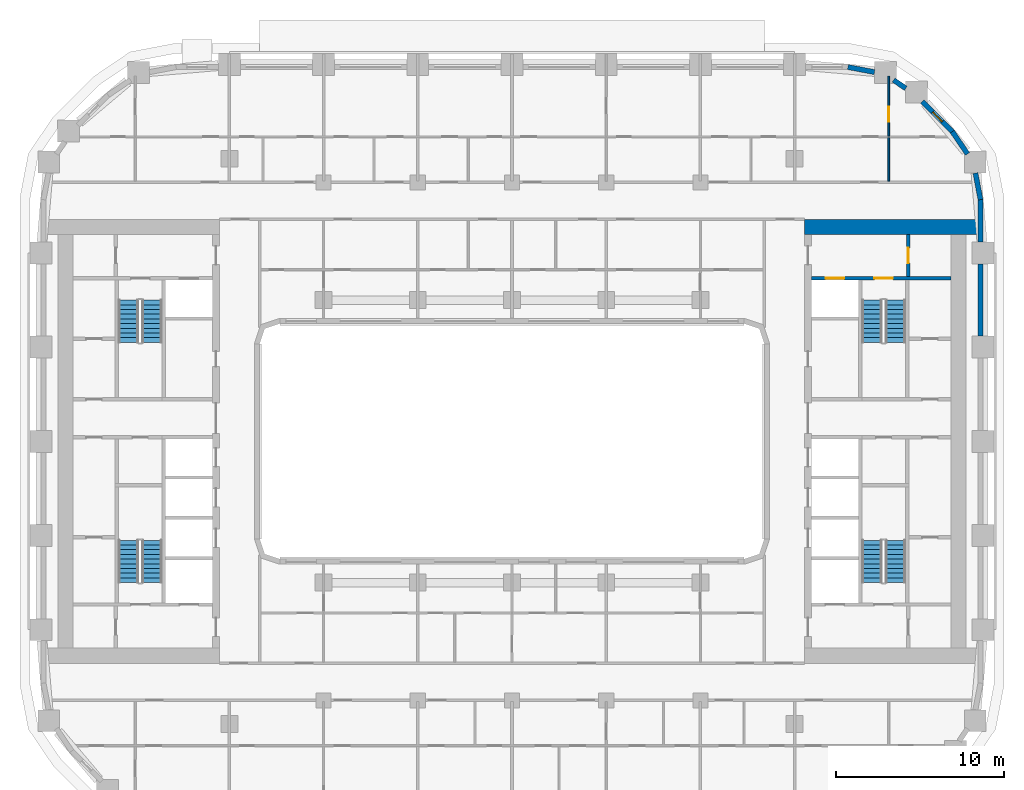
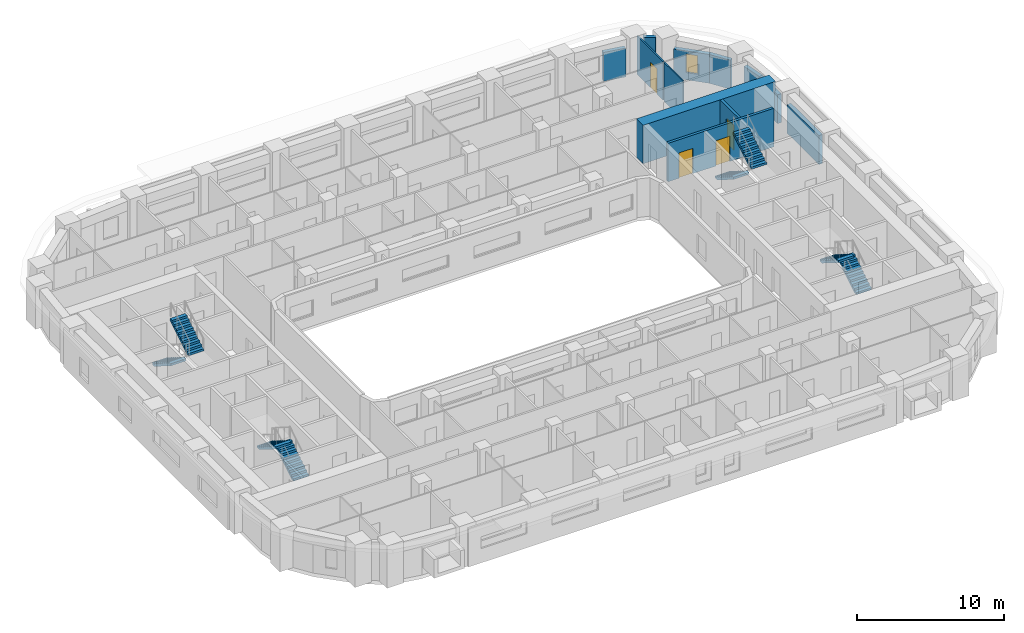
# One storey, part 10 of 22: 12 walls, 8 stair flights, 4 doors, 1 window, 5 openings, 4 elements without a shape of their own.
"""IFC4 building model written with IfcOpenShell, lengths in metres."""

from ifc_helpers import new_model, si_unit, direction, frame, frame_2d, origin, place, context, subcontext, project, spatial, polyline, rectangle, outline, extrude, material, layer, layer_set, type_object, element, fill, aggregate, save


model = new_model("IFC4")

# Units and contexts
model_context = context("Model", 3, precision=1e-05, world=origin(), true_north=direction((0.0, 1.0)))
body_context = subcontext(model_context, "Body", "Model", "MODEL_VIEW")
ifc_project = project(units=[si_unit("LENGTHUNIT", "METRE"), si_unit("AREAUNIT", "SQUARE_METRE"), si_unit("VOLUMEUNIT", "CUBIC_METRE"), si_unit("PLANEANGLEUNIT", "RADIAN"), si_unit("MASSUNIT", "GRAM", prefix="KILO")], contexts=[model_context])

# Site, building, storey
site_placement = place(None, origin())
site = spatial("IfcSite", under=ifc_project, at=site_placement, CompositionType="ELEMENT")
building_placement = place(site_placement, origin())
building = spatial("IfcBuilding", under=site, at=building_placement, Name="Kiln Ring Residences", CompositionType="ELEMENT")
storey_placement = place(building_placement, frame((0.0, 0.0, 97.300048828125)))
storey = spatial("IfcBuildingStorey", under=building, at=storey_placement, Name="L24", CompositionType="ELEMENT", Elevation=97.300048828125)

# Wall, opening, door
ifc_material_1 = material(Name="Gypsum board on steel studs", Category="steel")
ifc_layer_1 = layer(ifc_material_1, 0.199951171875)
ifc_layer_set_1 = layer_set([ifc_layer_1], Name="CORE-PARTITION-200")
wall_type_1 = type_object("IfcWallType", Name="CORE-PARTITION-200", PredefinedType="PARTITIONING", material=ifc_layer_set_1)
wall_1_placement = place(storey_placement, frame((23.550048828125, 9.800048828125, 0.0), z_axis=(0.0, 0.0, 1.0), x_axis=(0.0, 1.0, 0.0)))
wall_1 = element("IfcWall", 1, at=wall_1_placement, inside=storey, type_object=wall_type_1, Name="Core partition east L24 3", PredefinedType="PARTITIONING", context=body_context, shape_type="SweptSolid", body=[
    extrude(rectangle(XDim=2.5, YDim=0.199951171875, at=frame_2d((1.25, 0.0))), origin(), (0.0, 0.0, 1.0), 3.199951171875),
])
opening_1_placement = place(wall_1_placement, frame((0.800048828125, 0.0, 0.0)))
opening_1 = element("IfcOpeningElement", 2, at=opening_1_placement, cuts=wall_1, Name="Opening L24-CE09", PredefinedType="OPENING", context=body_context, shape_type="SweptSolid", body=[
    extrude(rectangle(XDim=0.89990234375, YDim=2.10009765625, at=frame_2d((0.449951171875, 1.050048828125))), frame((0.0, 0.10986328125, 0.0), z_axis=(0.0, -1.0, 0.0), x_axis=(1.0, 0.0, 0.0)), (0.0, 0.0, 1.0), 0.219970703125),
])
ifc_material_2 = material(Name="Steel door leaf", Category="steel")
door_type_1 = type_object("IfcDoorType", Name="CORE-DOOR-ROOM", OperationType="SINGLE_SWING_LEFT", PredefinedType="DOOR", material=ifc_material_2)
door_1_placement = place(opening_1_placement, origin())
door_1 = element("IfcDoor", 3, at=door_1_placement, inside=storey, type_object=door_type_1, Name="Fire riser room L24-CE09", OperationType="SINGLE_SWING_RIGHT", OverallHeight=2.10009765625, OverallWidth=0.89990234375, PredefinedType="DOOR", context=body_context, shape_type="SweptSolid", body=[
    extrude(rectangle(XDim=0.89990234375, YDim=2.10009765625, at=frame_2d((0.449951171875, 1.050048828125))), frame((0.0, 0.02490234375, 0.0), z_axis=(0.0, -1.0, 0.0), x_axis=(1.0, 0.0, 0.0)), (0.0, 0.0, 1.0), 0.050048828125),
])
fill(opening_1, door_1)

# Wall, openings, doors
ifc_material_3 = material(Name="Concrete C40/50", Category="concrete")
ifc_layer_2 = layer(ifc_material_3, 0.199951171875)
ifc_layer_set_2 = layer_set([ifc_layer_2], Name="CORE-WALL-RC200")
wall_type_2 = type_object("IfcWallType", Name="CORE-WALL-RC200", PredefinedType="SHEAR", material=ifc_layer_set_2)
wall_2_placement = place(storey_placement, frame((17.800048828125, 9.699951171875, 0.0), z_axis=(0.0, 0.0, 1.0), x_axis=(1.0, 0.0, 0.0)))
wall_2 = element("IfcWall", 4, at=wall_2_placement, inside=storey, type_object=wall_type_2, Name="Core wall east L24 9", PredefinedType="SHEAR", context=body_context, shape_type="SweptSolid", body=[
    extrude(rectangle(XDim=8.300048828125, YDim=0.199951171875, at=frame_2d((4.14990234375, 0.0))), origin(), (0.0, 0.0, 1.0), 3.199951171875),
])
opening_2_placement = place(wall_2_placement, frame((0.85009765625, 0.0, 0.0)))
opening_2 = element("IfcOpeningElement", 5, at=opening_2_placement, cuts=wall_2, Name="Opening L24-CE06", PredefinedType="OPENING", context=body_context, shape_type="SweptSolid", body=[
    extrude(rectangle(XDim=1.10009765625, YDim=2.10009765625, at=frame_2d((0.550048828125, 1.050048828125))), frame((0.0, 0.10986328125, 0.0), z_axis=(0.0, -1.0, 0.0), x_axis=(1.0, 0.0, 0.0)), (0.0, 0.0, 1.0), 0.219970703125),
])
opening_3_placement = place(wall_2_placement, frame((3.75, 0.0, 0.0)))
opening_3 = element("IfcOpeningElement", 6, at=opening_3_placement, cuts=wall_2, Name="Opening L24-CE11", PredefinedType="OPENING", context=body_context, shape_type="SweptSolid", body=[
    extrude(rectangle(XDim=1.10009765625, YDim=2.10009765625, at=frame_2d((0.550048828125, 1.050048828125))), frame((0.0, 0.10986328125, 0.0), z_axis=(0.0, -1.0, 0.0), x_axis=(1.0, 0.0, 0.0)), (0.0, 0.0, 1.0), 0.219970703125),
])
ifc_material_4 = material(Name="Steel door leaf", Category="steel")
door_type_2 = type_object("IfcDoorType", Name="CORE-DOOR-LD", OperationType="DOUBLE_DOOR_SLIDING", PredefinedType="DOOR", material=ifc_material_4)
door_2_placement = place(opening_2_placement, origin())
door_2 = element("IfcDoor", 7, at=door_2_placement, inside=storey, type_object=door_type_2, Name="LD E-FF L24-CE06", OperationType="DOUBLE_DOOR_SLIDING", OverallHeight=2.10009765625, OverallWidth=1.10009765625, PredefinedType="DOOR", context=body_context, shape_type="SweptSolid", body=[
    extrude(rectangle(XDim=1.10009765625, YDim=2.10009765625, at=frame_2d((0.550048828125, 1.050048828125))), frame((0.0, 0.02490234375, 0.0), z_axis=(0.0, -1.0, 0.0), x_axis=(1.0, 0.0, 0.0)), (0.0, 0.0, 1.0), 0.050048828125),
])
fill(opening_2, door_2)
ifc_material_5 = material(Name="Steel door leaf", Category="steel")
door_type_3 = type_object("IfcDoorType", Name="CORE-DOOR-STAIR", OperationType="SINGLE_SWING_LEFT", PredefinedType="DOOR", material=ifc_material_5)
door_3_placement = place(opening_3_placement, origin())
door_3 = element("IfcDoor", 8, at=door_3_placement, inside=storey, type_object=door_type_3, Name="Stair E-STN L24-CE11", OperationType="SINGLE_SWING_RIGHT", OverallHeight=2.10009765625, OverallWidth=1.10009765625, PredefinedType="DOOR", context=body_context, shape_type="SweptSolid", body=[
    extrude(rectangle(XDim=1.10009765625, YDim=2.10009765625, at=frame_2d((0.550048828125, 1.050048828125))), frame((0.0, 0.02490234375, 0.0), z_axis=(0.0, -1.0, 0.0), x_axis=(1.0, 0.0, 0.0)), (0.0, 0.0, 1.0), 0.050048828125),
])
fill(opening_3, door_3)

# Walls
ifc_material_6 = material(Name="Concrete C60/75", Category="concrete")
ifc_layer_3 = layer(ifc_material_6, 0.89990234375)
ifc_layer_set_3 = layer_set([ifc_layer_3], Name="CORE-WALL-RC900")
wall_type_3 = type_object("IfcWallType", Name="CORE-WALL-RC900", PredefinedType="SHEAR", material=ifc_layer_set_3)
wall_3_placement = place(storey_placement, frame((17.39990234375, 12.75, 0.0), z_axis=(0.0, 0.0, 1.0), x_axis=(1.0, 0.0, 0.0)))
element("IfcWall", 9, at=wall_3_placement, inside=storey, type_object=wall_type_3, Name="Core wall east L24 4", PredefinedType="SHEAR", context=body_context, shape_type="SweptSolid", body=[
    extrude(rectangle(XDim=10.400146484375, YDim=0.89990234375, at=frame_2d((5.2001953125, 0.0))), origin(), (0.0, 0.0, 1.0), 3.199951171875),
])
ifc_material_7 = material(Name="Brick masonry, dark clay brick", Category="masonry")
ifc_layer_4 = layer(ifc_material_7, 0.300048828125)
ifc_layer_set_4 = layer_set([ifc_layer_4], Name="EW-300 BRICK WALL")
wall_type_4 = type_object("IfcWallType", Name="EW-300 BRICK WALL", PredefinedType="SOLIDWALL", material=ifc_layer_set_4)
wall_4_placement = place(storey_placement, frame((27.85009765625, 6.25, 0.0), z_axis=(0.0, 0.0, 1.0), x_axis=(0.0, 1.0, 0.0)))
element("IfcWall", 10, at=wall_4_placement, inside=storey, type_object=wall_type_4, Name="Facade wall L24 21", PredefinedType="SOLIDWALL", context=body_context, shape_type="SweptSolid", body=[
    extrude(rectangle(XDim=4.300048828125, YDim=0.300048828125, at=frame_2d((2.14990234375, 0.0))), origin(), (0.0, 0.0, 1.0), 2.39990234375),
])
wall_5_placement = place(storey_placement, frame((27.85009765625, 11.85009765625, 0.0), z_axis=(0.0, 0.0, 1.0), x_axis=(0.0, 1.0, 0.0)))
element("IfcWall", 11, at=wall_5_placement, inside=storey, type_object=wall_type_4, Name="Facade wall L24 22", PredefinedType="SOLIDWALL", context=body_context, shape_type="SweptSolid", body=[
    extrude(rectangle(XDim=2.5498046875, YDim=0.300048828125, at=frame_2d((1.27490234375, 0.0))), origin(), (0.0, 0.0, 1.0), 2.39990234375),
])
for number, where, z_axis, x_axis, name in (
    (12, (27.8525390625, 14.371826171875, 0.0), (0.0, 0.0, 1.0), (-0.187279751651, 0.982306619453, 0.0), "Facade wall L24 23"),
    (13, (27.08154296875, 17.08447265625, 0.0), (0.0, 0.0, 1.0), (-0.562010605531, 0.827130025613, 0.0), "Facade wall L24 24"),
):
    element("IfcWall", number, at=place(storey_placement, frame(where, z_axis=z_axis, x_axis=x_axis)), inside=storey, type_object=wall_type_4, Name=name, PredefinedType="SOLIDWALL", context=body_context, shape_type="SweptSolid", body=[
        extrude(rectangle(XDim=1.60595703125, YDim=0.300048828125, at=frame_2d((0.802978515625, 0.0))), origin(), (0.0, 0.0, 1.0), 2.39990234375),
    ])

# Wall, opening, window
wall_6_placement = place(storey_placement, frame((26.19677734375, 18.390869140625, 0.0), z_axis=(0.0, 0.0, 1.0), x_axis=(-0.707058908279, 0.707154650853, 0.0)))
wall_6 = element("IfcWall", 14, at=wall_6_placement, inside=storey, type_object=wall_type_4, Name="Facade wall L24 25", PredefinedType="SOLIDWALL", context=body_context, shape_type="SweptSolid", body=[
    extrude(rectangle(XDim=2.550048828125, YDim=0.300048828125, at=frame_2d((1.27490234375, 0.0))), origin(), (0.0, 0.0, 1.0), 2.39990234375),
])
opening_4_placement = place(wall_6_placement, frame((0.875, 0.0, 0.60009765625)))
opening_4 = element("IfcOpeningElement", 15, at=opening_4_placement, cuts=wall_6, Name="Opening W5", PredefinedType="OPENING", context=body_context, shape_type="SweptSolid", body=[
    extrude(rectangle(XDim=0.800048828125, YDim=1.550048828125, at=frame_2d((0.39990234375, 0.77490234375))), frame((0.0, 0.159912109375, 0.0), z_axis=(0.0, -1.0, 0.0), x_axis=(1.0, 0.0, 0.0)), (0.0, 0.0, 1.0), 0.320068359375),
])
ifc_material_8 = material(Name="Aluminium frame with double glazing", Category="aluminium")
window_type = type_object("IfcWindowType", Name="WINDOW 800 x 1550", PartitioningType="SINGLE_PANEL", PredefinedType="WINDOW", material=ifc_material_8)
window_placement = place(opening_4_placement, origin())
window = element("IfcWindow", 16, at=window_placement, inside=storey, type_object=window_type, Name="Window L24 12", OverallHeight=1.550048828125, OverallWidth=0.800048828125, PartitioningType="SINGLE_PANEL", PredefinedType="WINDOW", context=body_context, shape_type="SweptSolid", body=[
    extrude(rectangle(XDim=0.800048828125, YDim=1.550048828125, at=frame_2d((0.39990234375, 0.77490234375))), frame((0.0, 0.030029296875, 0.0), z_axis=(0.0, -1.0, 0.0), x_axis=(1.0, 0.0, 0.0)), (0.0, 0.0, 1.0), 0.06005859375),
])
fill(opening_4, window)

# Walls
wall_7_placement = place(storey_placement, frame((23.409912109375, 20.988525390625, 0.0), z_axis=(0.0, 0.0, 1.0), x_axis=(-0.827050703543, 0.562127328787, 0.0)))
element("IfcWall", 17, at=wall_7_placement, inside=storey, type_object=wall_type_4, Name="Facade wall L24 26", PredefinedType="SOLIDWALL", context=body_context, shape_type="SweptSolid", body=[
    extrude(rectangle(XDim=0.877197265625, YDim=0.300048828125, at=frame_2d((0.4384765625, 0.0))), origin(), (0.0, 0.0, 1.0), 3.199951171875),
])
wall_8_placement = place(storey_placement, frame((21.549560546875, 21.95166015625, 0.0), z_axis=(0.0, 0.0, 1.0), x_axis=(-0.982278644094, 0.187426426519, 0.0)))
element("IfcWall", 18, at=wall_8_placement, inside=storey, type_object=wall_type_4, Name="Facade wall L24 27", PredefinedType="SOLIDWALL", context=body_context, shape_type="SweptSolid", body=[
    extrude(rectangle(XDim=1.606201171875, YDim=0.300048828125, at=frame_2d((0.80322265625, 0.0))), origin(), (0.0, 0.0, 1.0), 2.39990234375),
])
ifc_material_9 = material(Name="Gypsum board on steel studs", Category="steel")
ifc_layer_5 = layer(ifc_material_9, 0.10009765625)
ifc_layer_set_5 = layer_set([ifc_layer_5], Name="PARTITION-100")
wall_type_5 = type_object("IfcWallType", Name="PARTITION-100", PredefinedType="PARTITIONING", material=ifc_layer_set_5)
wall_9_placement = place(storey_placement, frame((22.39990234375, 15.47509765625, 0.0), z_axis=(0.0, 0.0, 1.0), x_axis=(0.0, 1.0, 0.0)))
element("IfcWall", 19, at=wall_9_placement, inside=storey, type_object=wall_type_5, Name="Partition 078", PredefinedType="PARTITIONING", context=body_context, shape_type="SweptSolid", body=[
    extrude(rectangle(XDim=2.574951171875, YDim=0.10009765625, at=frame_2d((1.28759765625, 0.0))), origin(), (0.0, 0.0, 1.0), 3.199951171875),
])

# Wall, opening, door
wall_10_placement = place(storey_placement, frame((22.39990234375, 18.14990234375, 0.0), z_axis=(0.0, 0.0, 1.0), x_axis=(0.0, 1.0, 0.0)))
wall_10 = element("IfcWall", 20, at=wall_10_placement, inside=storey, type_object=wall_type_5, Name="Partition 079", PredefinedType="PARTITIONING", context=body_context, shape_type="SweptSolid", body=[
    extrude(rectangle(XDim=3.570068359375, YDim=0.10009765625, at=frame_2d((1.78515625, 0.0))), origin(), (0.0, 0.0, 1.0), 3.199951171875),
])
opening_5_placement = place(wall_10_placement, frame((0.85009765625, 0.0, 0.0)))
opening_5 = element("IfcOpeningElement", 21, at=opening_5_placement, cuts=wall_10, Name="Opening L24-D042", PredefinedType="OPENING", context=body_context, shape_type="SweptSolid", body=[
    extrude(rectangle(XDim=0.89990234375, YDim=2.10009765625, at=frame_2d((0.449951171875, 1.050048828125))), frame((0.0, 0.06005859375, 0.0), z_axis=(0.0, -1.0, 0.0), x_axis=(1.0, 0.0, 0.0)), (0.0, 0.0, 1.0), 0.1201171875),
])
ifc_material_10 = material(Name="Timber door leaf", Category="wood")
door_type_4 = type_object("IfcDoorType", Name="FLAT-DOOR-900-PL", OperationType="SINGLE_SWING_LEFT", PredefinedType="DOOR", material=ifc_material_10)
door_4_placement = place(opening_5_placement, origin())
door_4 = element("IfcDoor", 22, at=door_4_placement, inside=storey, type_object=door_type_4, Name="Door L24-D042", OperationType="SINGLE_SWING_LEFT", OverallHeight=2.10009765625, OverallWidth=0.89990234375, PredefinedType="DOOR", context=body_context, shape_type="SweptSolid", body=[
    extrude(rectangle(XDim=0.89990234375, YDim=2.10009765625, at=frame_2d((0.449951171875, 1.050048828125))), frame((0.0, 0.02490234375, 0.0), z_axis=(0.0, -1.0, 0.0), x_axis=(1.0, 0.0, 0.0)), (0.0, 0.0, 1.0), 0.050048828125),
])
fill(opening_5, door_4)

# Stair, stair flights
ifc_material_11 = material(Name="Concrete C40/50", Category="concrete")
stair_type = type_object("IfcStairType", Name="CORE-STAIR", PredefinedType="HALF_TURN_STAIR", material=ifc_material_11)
placement = place(storey_placement, origin())
stair_1 = element("IfcStair", 23, at=placement, inside=storey, type_object=stair_type, Name="L24 stair W-STN", PredefinedType="HALF_TURN_STAIR")
ifc_material_12 = material(Name="Concrete C40/50", Category="concrete")
stair_flight_type = type_object("IfcStairFlightType", Name="CORE-STAIR-FLIGHT", PredefinedType="STRAIGHT", material=ifc_material_12)
stair_flight_1_placement = place(storey_placement, frame((-22.800048828125, 8.39990234375, 0.0), z_axis=(0.0, 0.0, 1.0), x_axis=(0.0, -1.0, 0.0)))
stair_flight_1 = element("IfcStairFlight", 24, at=stair_flight_1_placement, type_object=stair_flight_type, Name="W-STN flight 1", NumberOfRisers=10, NumberOfTreads=9, PredefinedType="STRAIGHT", RiserHeight=0.175, TreadLength=0.28, context=body_context, shape_type="SweptSolid", body=[
    extrude(outline(polyline([(0.0, 0.0), (0.0, 0.175048828125), (0.280029296875, 0.175048828125), (0.280029296875, 0.35009765625), (0.56005859375, 0.35009765625), (0.56005859375, 0.52490234375), (0.840087890625, 0.52490234375), (0.840087890625, 0.699951171875), (1.1201171875, 0.699951171875), (1.1201171875, 0.875), (1.39990234375, 0.875), (1.39990234375, 1.050048828125), (1.679931640625, 1.050048828125), (1.679931640625, 1.22509765625), (1.9599609375, 1.22509765625), (1.9599609375, 1.39990234375), (2.239990234375, 1.39990234375), (2.239990234375, 1.574951171875), (2.52001953125, 1.574951171875), (2.52001953125, 1.75), (2.52001953125, 1.398193359375), (0.28271484375, 0.0), (0.0, 0.0)])), frame((0.0, 0.60009765625, 0.0), z_axis=(0.0, -1.0, 0.0), x_axis=(1.0, 0.0, 0.0)), (0.0, 0.0, 1.0), 1.199951171875),
])
stair_flight_2_placement = place(storey_placement, frame((-21.39990234375, 5.8798828125, 1.75), z_axis=(0.0, 0.0, 1.0), x_axis=(0.0, 1.0, 0.0)))
stair_flight_2 = element("IfcStairFlight", 25, at=stair_flight_2_placement, type_object=stair_flight_type, Name="W-STN flight 2", NumberOfRisers=10, NumberOfTreads=9, PredefinedType="STRAIGHT", RiserHeight=0.175, TreadLength=0.28, context=body_context, shape_type="SweptSolid", body=[
    extrude(outline(polyline([(0.0, 0.0), (0.0, 0.175048828125), (0.280029296875, 0.175048828125), (0.280029296875, 0.35009765625), (0.56005859375, 0.35009765625), (0.56005859375, 0.52490234375), (0.840087890625, 0.52490234375), (0.840087890625, 0.699951171875), (1.1201171875, 0.699951171875), (1.1201171875, 0.875), (1.39990234375, 0.875), (1.39990234375, 1.050048828125), (1.679931640625, 1.050048828125), (1.679931640625, 1.22509765625), (1.9599609375, 1.22509765625), (1.9599609375, 1.39990234375), (2.239990234375, 1.39990234375), (2.239990234375, 1.574951171875), (2.52001953125, 1.574951171875), (2.52001953125, 1.75), (2.52001953125, 1.398193359375), (0.28271484375, 0.0), (0.0, 0.0)])), frame((0.0, 0.60009765625, 0.0), z_axis=(0.0, -1.0, 0.0), x_axis=(1.0, 0.0, 0.0)), (0.0, 0.0, 1.0), 1.199951171875),
])
aggregate(stair_1, [stair_flight_1, stair_flight_2])

stair_2 = element("IfcStair", 26, at=placement, inside=storey, type_object=stair_type, Name="L24 stair W-STS", PredefinedType="HALF_TURN_STAIR")
stair_flight_3_placement = place(storey_placement, frame((-21.39990234375, -8.39990234375, 0.0), z_axis=(0.0, 0.0, 1.0), x_axis=(0.0, 1.0, 0.0)))
stair_flight_3 = element("IfcStairFlight", 27, at=stair_flight_3_placement, type_object=stair_flight_type, Name="W-STS flight 1", NumberOfRisers=10, NumberOfTreads=9, PredefinedType="STRAIGHT", RiserHeight=0.175, TreadLength=0.28, context=body_context, shape_type="SweptSolid", body=[
    extrude(outline(polyline([(0.0, 0.0), (0.0, 0.175048828125), (0.280029296875, 0.175048828125), (0.280029296875, 0.35009765625), (0.56005859375, 0.35009765625), (0.56005859375, 0.52490234375), (0.840087890625, 0.52490234375), (0.840087890625, 0.699951171875), (1.1201171875, 0.699951171875), (1.1201171875, 0.875), (1.39990234375, 0.875), (1.39990234375, 1.050048828125), (1.679931640625, 1.050048828125), (1.679931640625, 1.22509765625), (1.9599609375, 1.22509765625), (1.9599609375, 1.39990234375), (2.239990234375, 1.39990234375), (2.239990234375, 1.574951171875), (2.52001953125, 1.574951171875), (2.52001953125, 1.75), (2.52001953125, 1.398193359375), (0.28271484375, 0.0), (0.0, 0.0)])), frame((0.0, 0.60009765625, 0.0), z_axis=(0.0, -1.0, 0.0), x_axis=(1.0, 0.0, 0.0)), (0.0, 0.0, 1.0), 1.199951171875),
])
stair_flight_4_placement = place(storey_placement, frame((-22.800048828125, -5.8798828125, 1.75), z_axis=(0.0, 0.0, 1.0), x_axis=(0.0, -1.0, 0.0)))
stair_flight_4 = element("IfcStairFlight", 28, at=stair_flight_4_placement, type_object=stair_flight_type, Name="W-STS flight 2", NumberOfRisers=10, NumberOfTreads=9, PredefinedType="STRAIGHT", RiserHeight=0.175, TreadLength=0.28, context=body_context, shape_type="SweptSolid", body=[
    extrude(outline(polyline([(0.0, 0.0), (0.0, 0.175048828125), (0.280029296875, 0.175048828125), (0.280029296875, 0.35009765625), (0.56005859375, 0.35009765625), (0.56005859375, 0.52490234375), (0.840087890625, 0.52490234375), (0.840087890625, 0.699951171875), (1.1201171875, 0.699951171875), (1.1201171875, 0.875), (1.39990234375, 0.875), (1.39990234375, 1.050048828125), (1.679931640625, 1.050048828125), (1.679931640625, 1.22509765625), (1.9599609375, 1.22509765625), (1.9599609375, 1.39990234375), (2.239990234375, 1.39990234375), (2.239990234375, 1.574951171875), (2.52001953125, 1.574951171875), (2.52001953125, 1.75), (2.52001953125, 1.398193359375), (0.28271484375, 0.0), (0.0, 0.0)])), frame((0.0, 0.60009765625, 0.0), z_axis=(0.0, -1.0, 0.0), x_axis=(1.0, 0.0, 0.0)), (0.0, 0.0, 1.0), 1.199951171875),
])
aggregate(stair_2, [stair_flight_3, stair_flight_4])

stair_3 = element("IfcStair", 29, at=placement, inside=storey, type_object=stair_type, Name="L24 stair E-STN", PredefinedType="HALF_TURN_STAIR")
stair_flight_5_placement = place(storey_placement, frame((21.39990234375, 8.39990234375, 0.0), z_axis=(0.0, 0.0, 1.0), x_axis=(0.0, -1.0, 0.0)))
stair_flight_5 = element("IfcStairFlight", 30, at=stair_flight_5_placement, type_object=stair_flight_type, Name="E-STN flight 1", NumberOfRisers=10, NumberOfTreads=9, PredefinedType="STRAIGHT", RiserHeight=0.175, TreadLength=0.28, context=body_context, shape_type="SweptSolid", body=[
    extrude(outline(polyline([(0.0, 0.0), (0.0, 0.175048828125), (0.280029296875, 0.175048828125), (0.280029296875, 0.35009765625), (0.56005859375, 0.35009765625), (0.56005859375, 0.52490234375), (0.840087890625, 0.52490234375), (0.840087890625, 0.699951171875), (1.1201171875, 0.699951171875), (1.1201171875, 0.875), (1.39990234375, 0.875), (1.39990234375, 1.050048828125), (1.679931640625, 1.050048828125), (1.679931640625, 1.22509765625), (1.9599609375, 1.22509765625), (1.9599609375, 1.39990234375), (2.239990234375, 1.39990234375), (2.239990234375, 1.574951171875), (2.52001953125, 1.574951171875), (2.52001953125, 1.75), (2.52001953125, 1.398193359375), (0.28271484375, 0.0), (0.0, 0.0)])), frame((0.0, 0.60009765625, 0.0), z_axis=(0.0, -1.0, 0.0), x_axis=(1.0, 0.0, 0.0)), (0.0, 0.0, 1.0), 1.199951171875),
])
stair_flight_6_placement = place(storey_placement, frame((22.800048828125, 5.8798828125, 1.75), z_axis=(0.0, 0.0, 1.0), x_axis=(0.0, 1.0, 0.0)))
stair_flight_6 = element("IfcStairFlight", 31, at=stair_flight_6_placement, type_object=stair_flight_type, Name="E-STN flight 2", NumberOfRisers=10, NumberOfTreads=9, PredefinedType="STRAIGHT", RiserHeight=0.175, TreadLength=0.28, context=body_context, shape_type="SweptSolid", body=[
    extrude(outline(polyline([(0.0, 0.0), (0.0, 0.175048828125), (0.280029296875, 0.175048828125), (0.280029296875, 0.35009765625), (0.56005859375, 0.35009765625), (0.56005859375, 0.52490234375), (0.840087890625, 0.52490234375), (0.840087890625, 0.699951171875), (1.1201171875, 0.699951171875), (1.1201171875, 0.875), (1.39990234375, 0.875), (1.39990234375, 1.050048828125), (1.679931640625, 1.050048828125), (1.679931640625, 1.22509765625), (1.9599609375, 1.22509765625), (1.9599609375, 1.39990234375), (2.239990234375, 1.39990234375), (2.239990234375, 1.574951171875), (2.52001953125, 1.574951171875), (2.52001953125, 1.75), (2.52001953125, 1.398193359375), (0.28271484375, 0.0), (0.0, 0.0)])), frame((0.0, 0.60009765625, 0.0), z_axis=(0.0, -1.0, 0.0), x_axis=(1.0, 0.0, 0.0)), (0.0, 0.0, 1.0), 1.199951171875),
])
aggregate(stair_3, [stair_flight_5, stair_flight_6])

stair_4 = element("IfcStair", 32, at=placement, inside=storey, type_object=stair_type, Name="L24 stair E-STS", PredefinedType="HALF_TURN_STAIR")
stair_flight_7_placement = place(storey_placement, frame((22.800048828125, -8.39990234375, 0.0), z_axis=(0.0, 0.0, 1.0), x_axis=(0.0, 1.0, 0.0)))
stair_flight_7 = element("IfcStairFlight", 33, at=stair_flight_7_placement, type_object=stair_flight_type, Name="E-STS flight 1", NumberOfRisers=10, NumberOfTreads=9, PredefinedType="STRAIGHT", RiserHeight=0.175, TreadLength=0.28, context=body_context, shape_type="SweptSolid", body=[
    extrude(outline(polyline([(0.0, 0.0), (0.0, 0.175048828125), (0.280029296875, 0.175048828125), (0.280029296875, 0.35009765625), (0.56005859375, 0.35009765625), (0.56005859375, 0.52490234375), (0.840087890625, 0.52490234375), (0.840087890625, 0.699951171875), (1.1201171875, 0.699951171875), (1.1201171875, 0.875), (1.39990234375, 0.875), (1.39990234375, 1.050048828125), (1.679931640625, 1.050048828125), (1.679931640625, 1.22509765625), (1.9599609375, 1.22509765625), (1.9599609375, 1.39990234375), (2.239990234375, 1.39990234375), (2.239990234375, 1.574951171875), (2.52001953125, 1.574951171875), (2.52001953125, 1.75), (2.52001953125, 1.398193359375), (0.28271484375, 0.0), (0.0, 0.0)])), frame((0.0, 0.60009765625, 0.0), z_axis=(0.0, -1.0, 0.0), x_axis=(1.0, 0.0, 0.0)), (0.0, 0.0, 1.0), 1.199951171875),
])
stair_flight_8_placement = place(storey_placement, frame((21.39990234375, -5.8798828125, 1.75), z_axis=(0.0, 0.0, 1.0), x_axis=(0.0, -1.0, 0.0)))
stair_flight_8 = element("IfcStairFlight", 34, at=stair_flight_8_placement, type_object=stair_flight_type, Name="E-STS flight 2", NumberOfRisers=10, NumberOfTreads=9, PredefinedType="STRAIGHT", RiserHeight=0.175, TreadLength=0.28, context=body_context, shape_type="SweptSolid", body=[
    extrude(outline(polyline([(0.0, 0.0), (0.0, 0.175048828125), (0.280029296875, 0.175048828125), (0.280029296875, 0.35009765625), (0.56005859375, 0.35009765625), (0.56005859375, 0.52490234375), (0.840087890625, 0.52490234375), (0.840087890625, 0.699951171875), (1.1201171875, 0.699951171875), (1.1201171875, 0.875), (1.39990234375, 0.875), (1.39990234375, 1.050048828125), (1.679931640625, 1.050048828125), (1.679931640625, 1.22509765625), (1.9599609375, 1.22509765625), (1.9599609375, 1.39990234375), (2.239990234375, 1.39990234375), (2.239990234375, 1.574951171875), (2.52001953125, 1.574951171875), (2.52001953125, 1.75), (2.52001953125, 1.398193359375), (0.28271484375, 0.0), (0.0, 0.0)])), frame((0.0, 0.60009765625, 0.0), z_axis=(0.0, -1.0, 0.0), x_axis=(1.0, 0.0, 0.0)), (0.0, 0.0, 1.0), 1.199951171875),
])
aggregate(stair_4, [stair_flight_7, stair_flight_8])

save(model, "model.ifc")
